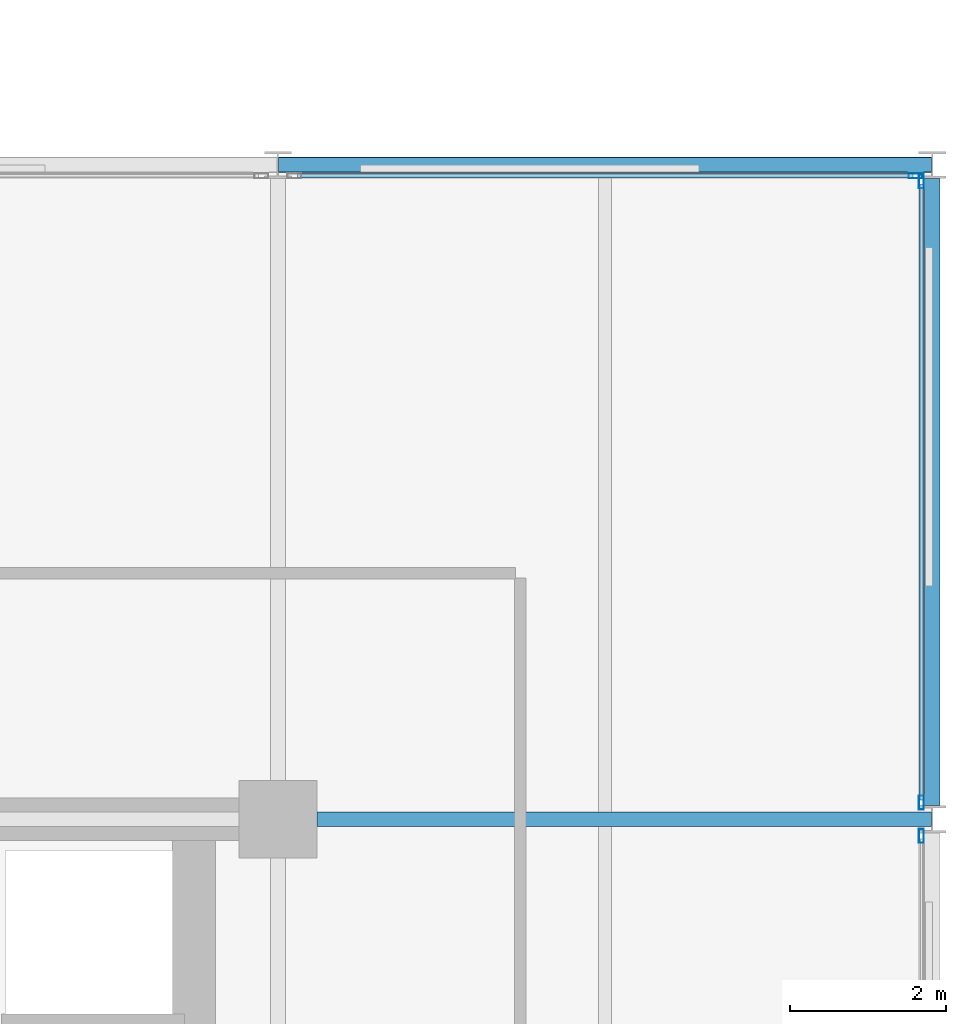
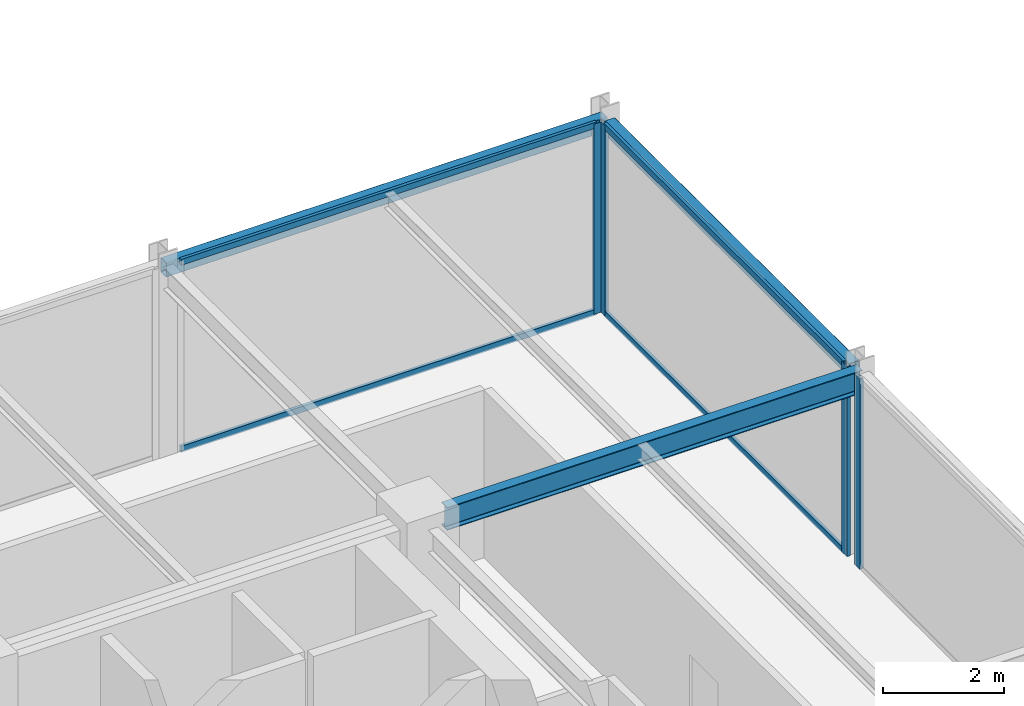
# One storey, part 16 of 29: 8 members, 3 beams, 3 elements without a shape of their own.
"""IFC4 building model written with IfcOpenShell, lengths in metres."""

from ifc_helpers import new_model, si_unit, direction, frame, origin, origin_2d, place, context, subcontext, project, spatial, hollow_rectangle, i_section, extrude, material, layer, layer_set, material_profile, profile_set, type_object, element, aggregate, save


model = new_model("IFC4")

# Units and contexts
model_context = context("Model", 3, precision=1e-05, world=origin(), true_north=direction((0.0, 1.0)))
body_context = subcontext(model_context, "Body", "Model", "MODEL_VIEW")
ifc_project = project(units=[si_unit("LENGTHUNIT", "METRE"), si_unit("AREAUNIT", "SQUARE_METRE"), si_unit("VOLUMEUNIT", "CUBIC_METRE"), si_unit("PLANEANGLEUNIT", "RADIAN"), si_unit("MASSUNIT", "GRAM", prefix="KILO")], contexts=[model_context])

# Site, building, storey
site_placement = place(None, origin())
site = spatial("IfcSite", under=ifc_project, at=site_placement, CompositionType="ELEMENT")
building_placement = place(site_placement, origin())
building = spatial("IfcBuilding", under=site, at=building_placement, Name="Nerrivon Quay Data Exchange", CompositionType="ELEMENT")
storey_placement = place(building_placement, frame((0.0, 0.0, 183.699951171875)))
storey = spatial("IfcBuildingStorey", under=building, at=storey_placement, Name="L43", CompositionType="ELEMENT", Elevation=183.699951171875)

# Beams
ifc_material_1 = material(Name="Steel Grade 350", Category="steel")
ifc_material_profile_1 = material_profile(ifc_material_1, i_section(OverallWidth=0.19091796875, OverallDepth=0.4599609375, WebThickness=0.010009765625, FlangeThickness=0.01611328125, FilletRadius=0.011474609375, at=origin_2d()), Name="460UB82.1")
ifc_profile_set_1 = profile_set([ifc_material_profile_1], Name="Steel Grade 350")
beam_type_1 = type_object("IfcBeamType", Name="BM-G5-460UB82", PredefinedType="BEAM", material=ifc_profile_set_1)
beam_1_placement = place(storey_placement, frame((34.10009765625, 16.800048828125, 3.594970703125), z_axis=(1.0, 0.0, 0.0), x_axis=(0.0, 1.0, 0.0)))
element("IfcBeam", 1, at=beam_1_placement, inside=storey, type_object=beam_type_1, Name="L43 EW Girder Y=16.8 (33.6..42.0)", PredefinedType="BEAM", context=body_context, shape_type="SweptSolid", body=[
    extrude(i_section(OverallWidth=0.19091796875, OverallDepth=0.4599609375, WebThickness=0.010009765625, FlangeThickness=0.01611328125, FilletRadius=0.011474609375, at=origin_2d()), origin(), (0.0, 0.0, 1.0), 7.889892578125),
])
ifc_material_2 = material(Name="Steel Grade C350L0 (350 MPa)", Category="steel")
ifc_material_profile_2 = material_profile(ifc_material_2, hollow_rectangle(XDim=0.199951171875, YDim=0.300048828125, WallThickness=0.012451171875, InnerFilletRadius=0.018798828125, OuterFilletRadius=0.03125, at=origin_2d()), Name="300x200x12.5RHS")
ifc_profile_set_2 = profile_set([ifc_material_profile_2], Name="Steel Grade C350L0 (350 MPa)")
beam_type_2 = type_object("IfcBeamType", Name="BM-SP3-300x200RHS", PredefinedType="SPANDREL", material=ifc_profile_set_2)
beam_2_placement = place(storey_placement, frame((33.610107421875, 25.199951171875, 3.675048828125), z_axis=(1.0, 0.0, 0.0), x_axis=(0.0, 1.0, 0.0)))
element("IfcBeam", 2, at=beam_2_placement, inside=storey, type_object=beam_type_2, Name="L43 EW Girder Y=25.2 (33.6..42.0)", PredefinedType="SPANDREL", context=body_context, shape_type="SweptSolid", body=[
    extrude(hollow_rectangle(XDim=0.199951171875, YDim=0.300048828125, WallThickness=0.012451171875, InnerFilletRadius=0.018798828125, OuterFilletRadius=0.03125, at=origin_2d()), origin(), (0.0, 0.0, 1.0), 8.3798828125),
])
beam_3_placement = place(storey_placement, frame((42.0, 16.97509765625, 3.675048828125), z_axis=(0.0, 1.0, 0.0), x_axis=(-1.0, 0.0, 0.0)))
element("IfcBeam", 3, at=beam_3_placement, inside=storey, type_object=beam_type_2, Name="L43 NS Girder X=42.0 (16.8..25.2)", PredefinedType="SPANDREL", context=body_context, shape_type="SweptSolid", body=[
    extrude(hollow_rectangle(XDim=0.199951171875, YDim=0.300048828125, WallThickness=0.012451171875, InnerFilletRadius=0.018798828125, OuterFilletRadius=0.03125, at=origin_2d()), origin(), (0.0, 0.0, 1.0), 8.0498046875),
])

# Curtain wall, member
ifc_material_3 = material(Name="Anodised aluminium 6063-T6", Category="aluminium")
ifc_layer = layer(ifc_material_3, 0.195068359375)
ifc_layer_set = layer_set([ifc_layer], Name="Anodised aluminium 6063-T6")
curtain_wall_type = type_object("IfcCurtainWallType", Name="CW-SYS-06", PredefinedType="NOTDEFINED", material=ifc_layer_set)
curtain_wall_1_placement = place(storey_placement, origin())
curtain_wall_1 = element("IfcCurtainWall", 4, at=curtain_wall_1_placement, inside=storey, type_object=curtain_wall_type, Name="L43 Unitised Curtain Wall 17", PredefinedType="NOTDEFINED")
ifc_material_profile_3 = material_profile(ifc_material_3, hollow_rectangle(XDim=0.06494140625, YDim=0.179931640625, WallThickness=0.00341796875, at=origin_2d()), Name="ALU-MULL-180x65")
ifc_profile_set_3 = profile_set([ifc_material_profile_3], Name="Anodised aluminium 6063-T6")
member_type_1 = type_object("IfcMemberType", Name="CWM-180x65", PredefinedType="MULLION", material=ifc_profile_set_3)
member_1_placement = place(storey_placement, frame((41.78759765625, 25.06005859375, 0.0), z_axis=(0.0, 0.0, 1.0), x_axis=(0.0, 1.0, 0.0)))
member_1 = element("IfcMember", 5, at=member_1_placement, type_object=member_type_1, Name="CW06 mullion 2", PredefinedType="MULLION", context=body_context, shape_type="SweptSolid", body=[
    extrude(hollow_rectangle(XDim=0.06494140625, YDim=0.179931640625, WallThickness=0.00341796875, at=origin_2d()), origin(), (0.0, 0.0, 1.0), 3.824951171875),
])

# Curtain wall, members
curtain_wall_2_placement = place(storey_placement, origin())
curtain_wall_2 = element("IfcCurtainWall", 6, at=curtain_wall_2_placement, inside=storey, type_object=curtain_wall_type, Name="L43 Unitised Curtain Wall 18", PredefinedType="NOTDEFINED")
member_2_placement = place(storey_placement, frame((41.860107421875, 24.987548828125, 0.0), z_axis=(0.0, 0.0, 1.0), x_axis=(1.0, 0.0, 0.0)))
member_2 = element("IfcMember", 7, at=member_2_placement, type_object=member_type_1, Name="CW06 mullion 1", PredefinedType="MULLION", context=body_context, shape_type="SweptSolid", body=[
    extrude(hollow_rectangle(XDim=0.06494140625, YDim=0.179931640625, WallThickness=0.00341796875, at=origin_2d()), origin(), (0.0, 0.0, 1.0), 3.824951171875),
])
member_3_placement = place(storey_placement, frame((41.860107421875, 17.012451171875, 0.0), z_axis=(0.0, 0.0, 1.0), x_axis=(1.0, 0.0, 0.0)))
member_3 = element("IfcMember", 8, at=member_3_placement, type_object=member_type_1, Name="CW06 mullion 2", PredefinedType="MULLION", context=body_context, shape_type="SweptSolid", body=[
    extrude(hollow_rectangle(XDim=0.06494140625, YDim=0.179931640625, WallThickness=0.00341796875, at=origin_2d()), origin(), (0.0, 0.0, 1.0), 3.824951171875),
])

# Curtain wall, member
curtain_wall_3_placement = place(storey_placement, origin())
curtain_wall_3 = element("IfcCurtainWall", 9, at=curtain_wall_3_placement, inside=storey, type_object=curtain_wall_type, Name="L43 Unitised Curtain Wall 19", PredefinedType="NOTDEFINED")
member_4_placement = place(storey_placement, frame((41.860107421875, 16.58740234375, 0.0), z_axis=(0.0, 0.0, 1.0), x_axis=(1.0, 0.0, 0.0)))
member_4 = element("IfcMember", 10, at=member_4_placement, type_object=member_type_1, Name="CW06 mullion 1", PredefinedType="MULLION", context=body_context, shape_type="SweptSolid", body=[
    extrude(hollow_rectangle(XDim=0.06494140625, YDim=0.179931640625, WallThickness=0.00341796875, at=origin_2d()), origin(), (0.0, 0.0, 1.0), 3.824951171875),
])
aggregate(curtain_wall_3, [member_4])

# Member
ifc_material_profile_4 = material_profile(ifc_material_3, hollow_rectangle(XDim=0.06005859375, YDim=0.1201171875, WallThickness=0.003173828125, at=origin_2d()), Name="ALU-TRAN-120x60")
ifc_profile_set_4 = profile_set([ifc_material_profile_4], Name="Anodised aluminium 6063-T6")
member_type_2 = type_object("IfcMemberType", Name="CWT-120x60", PredefinedType="USERDEFINED", material=ifc_profile_set_4)
member_5_placement = place(storey_placement, frame((33.85009765625, 25.06005859375, 0.032470703125), z_axis=(1.0, 0.0, 0.0), x_axis=(0.0, 1.0, 0.0)))
member_5 = element("IfcMember", 11, at=member_5_placement, type_object=member_type_2, Name="CW06 transom 1.1", ObjectType="TRANSOM", PredefinedType="USERDEFINED", context=body_context, shape_type="SweptSolid", body=[
    extrude(hollow_rectangle(XDim=0.06005859375, YDim=0.1201171875, WallThickness=0.003173828125, at=origin_2d()), origin(), (0.0, 0.0, 1.0), 7.89990234375),
])

member_6_placement = place(storey_placement, frame((33.85009765625, 25.06005859375, 3.79248046875), z_axis=(1.0, 0.0, 0.0), x_axis=(0.0, 1.0, 0.0)))
member_6 = element("IfcMember", 12, at=member_6_placement, type_object=member_type_2, Name="CW06 transom 1.2", ObjectType="TRANSOM", PredefinedType="USERDEFINED", context=body_context, shape_type="SweptSolid", body=[
    extrude(hollow_rectangle(XDim=0.06005859375, YDim=0.1201171875, WallThickness=0.003173828125, at=origin_2d()), origin(), (0.0, 0.0, 1.0), 7.89990234375),
])

aggregate(curtain_wall_1, [member_1, member_5, member_6])

member_7_placement = place(storey_placement, frame((41.860107421875, 24.949951171875, 0.032470703125), z_axis=(0.0, -1.0, 0.0), x_axis=(1.0, 0.0, 0.0)))
member_7 = element("IfcMember", 13, at=member_7_placement, type_object=member_type_2, Name="CW06 transom 1.1", ObjectType="TRANSOM", PredefinedType="USERDEFINED", context=body_context, shape_type="SweptSolid", body=[
    extrude(hollow_rectangle(XDim=0.06005859375, YDim=0.1201171875, WallThickness=0.003173828125, at=origin_2d()), origin(), (0.0, 0.0, 1.0), 7.89990234375),
])

member_8_placement = place(storey_placement, frame((41.860107421875, 24.949951171875, 3.79248046875), z_axis=(0.0, -1.0, 0.0), x_axis=(1.0, 0.0, 0.0)))
member_8 = element("IfcMember", 14, at=member_8_placement, type_object=member_type_2, Name="CW06 transom 1.2", ObjectType="TRANSOM", PredefinedType="USERDEFINED", context=body_context, shape_type="SweptSolid", body=[
    extrude(hollow_rectangle(XDim=0.06005859375, YDim=0.1201171875, WallThickness=0.003173828125, at=origin_2d()), origin(), (0.0, 0.0, 1.0), 7.89990234375),
])

aggregate(curtain_wall_2, [member_2, member_3, member_7, member_8])

save(model, "model.ifc")
